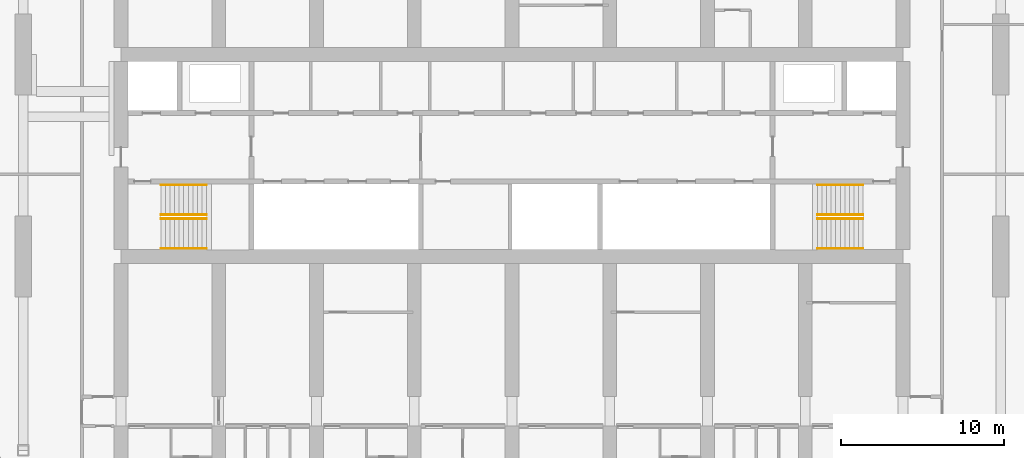
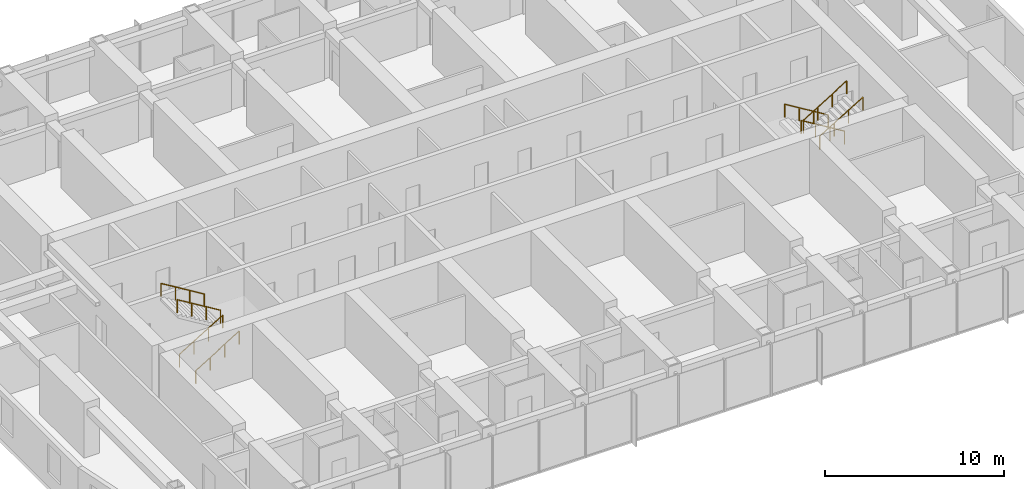
# One storey, part 22 of 22: 8 railings.
"""IFC4 building model written with IfcOpenShell, lengths in metres."""

import ifcopenshell
import ifcopenshell.guid

model = None  # the IFC model being written
_history = None  # IfcOwnerHistory: only IFC2X3 demands one
_inside = {}  # id of a spatial element -> (the spatial element, [elements in it])
_under = {}  # id of a project, library or spatial element -> (it, [spatial elements below it])
_declared = {}  # id of a project -> (the project, [libraries it declares])
_typed = {}  # id of a type object -> (the type object, [elements of that type])
_made_of = {}  # id of a material, layer set ... -> (it, [elements and type objects made of it])


def new_model(schema):
    """Start an empty IFC model of exactly this schema.

    Asked for "IFC4X3", IfcOpenShell would pick the latest addendum, in which some entities
    have other attributes; the version numbers below select the first issue.
    IFC2X3 requires an IfcOwnerHistory on every rooted entity: one is made here for all.
    """
    global model, _history
    if schema == "IFC4X3":
        model = ifcopenshell.file(schema_version=(4, 3, 0, 0))
    else:
        model = ifcopenshell.file(schema=schema)
    _inside.clear()
    _under.clear()
    _declared.clear()
    _typed.clear()
    _made_of.clear()
    _history = None
    if model.schema == "IFC2X3":
        org = make("IfcOrganization", Name="unknown")
        user = make(
            "IfcPersonAndOrganization",
            ThePerson=make("IfcPerson", FamilyName="unknown"),
            TheOrganization=org,
        )
        app = make(
            "IfcApplication",
            ApplicationDeveloper=org,
            Version="unknown",
            ApplicationFullName="unknown",
            ApplicationIdentifier="unknown",
        )
        _history = make(
            "IfcOwnerHistory",
            OwningUser=user,
            OwningApplication=app,
            ChangeAction="ADDED",
            CreationDate=0,
        )
    return model


def make(cls, **values):
    """One entity of the class cls with the attributes given. An attribute that is None is left unset."""
    return model.create_entity(
        cls, **{name: value for name, value in values.items() if value is not None}
    )


def rooted(cls, **values):
    """An entity with a GlobalId (a new one), such as an element, a storey or a relation."""
    return make(cls, GlobalId=ifcopenshell.guid.new(), OwnerHistory=_history, **values)


def si_unit(unit_type, name, prefix=None):
    """IfcSIUnit, for example si_unit("LENGTHUNIT", "METRE", prefix="MILLI")."""
    return make("IfcSIUnit", UnitType=unit_type, Prefix=prefix, Name=name)


def assignment(units):
    """IfcUnitAssignment: the units of a project."""
    return None if units is None else make("IfcUnitAssignment", Units=units)


def point(xyz):
    """IfcCartesianPoint."""
    return None if xyz is None else make("IfcCartesianPoint", Coordinates=xyz)


def direction(xyz):
    """IfcDirection."""
    return None if xyz is None else make("IfcDirection", DirectionRatios=xyz)


def frame(location, z_axis=None, x_axis=None):
    """IfcAxis2Placement3D, a coordinate frame: its origin and axes. An axis left out is left unset."""
    return make(
        "IfcAxis2Placement3D",
        Location=point(location),
        Axis=direction(z_axis),
        RefDirection=direction(x_axis),
    )


def frame_2d(location, x_axis=None):
    """IfcAxis2Placement2D, a coordinate frame in the plane: its origin and x axis."""
    return make(
        "IfcAxis2Placement2D", Location=point(location), RefDirection=direction(x_axis)
    )


def origin():
    """The frame at (0, 0, 0) with its axes left unset."""
    return frame((0.0, 0.0, 0.0))


def origin_2d():
    """The frame at (0, 0) in the plane with its x axis left unset."""
    return frame_2d((0.0, 0.0))


def place(relative_to, where):
    """IfcLocalPlacement: puts the frame where relative to a parent placement (None: the world)."""
    return make(
        "IfcLocalPlacement", PlacementRelTo=relative_to, RelativePlacement=where
    )


def context(
    kind, dimensions, precision=None, world=None, true_north=None, identifier=None
):
    """IfcGeometricRepresentationContext, for example the 3D "Model" context."""
    return make(
        "IfcGeometricRepresentationContext",
        ContextIdentifier=identifier,
        ContextType=kind,
        CoordinateSpaceDimension=dimensions,
        Precision=precision,
        WorldCoordinateSystem=world,
        TrueNorth=true_north,
    )


def subcontext(parent, identifier, kind, view, scale=None):
    """IfcGeometricRepresentationSubContext, for example "Body" below "Model"."""
    return make(
        "IfcGeometricRepresentationSubContext",
        ContextIdentifier=identifier,
        ContextType=kind,
        ParentContext=parent,
        TargetScale=scale,
        TargetView=view,
    )


def project(units=None, contexts=None):
    """IfcProject with its units and contexts."""
    return rooted(
        "IfcProject",
        Name="project",
        RepresentationContexts=contexts,
        UnitsInContext=assignment(units),
    )


def spatial(cls, under=None, at=None, **own):
    """A site, building, storey or space (cls), placed at a placement, below another one or the project."""
    s = rooted(cls, ObjectPlacement=at, **own)
    if under is not None:
        _under.setdefault(under.id(), (under, []))[1].append(s)
    return s


def profile(cls, at=None, kind="AREA", **sizes):
    """A parametric profile (cls). Its sizes go by their IFC names, for example OverallWidth=200.0."""
    return make(cls, ProfileType=kind, Position=at, **sizes)


def circle(**sizes):
    """IfcCircleProfileDef."""
    return profile("IfcCircleProfileDef", **sizes)


def extrude(swept, where, along, depth):
    """IfcExtrudedAreaSolid: the profile swept, set in the frame where, extruded along a direction by depth."""
    return make(
        "IfcExtrudedAreaSolid",
        SweptArea=swept,
        Position=where,
        ExtrudedDirection=direction(along),
        Depth=depth,
    )


def shape(context_of_items, identifier, shape_type, items):
    """IfcShapeRepresentation: the items that make up one representation, for example the "Body"."""
    return make(
        "IfcShapeRepresentation",
        ContextOfItems=context_of_items,
        RepresentationIdentifier=identifier,
        RepresentationType=shape_type,
        Items=items,
    )


def material(Name=None, Category=None):
    """IfcMaterial."""
    return make("IfcMaterial", Name=Name, Category=Category)


def made_of(thing, what):
    """Note that an element or type object is made of a material, layer set ...; save() writes the relation."""
    if what is not None:
        _made_of.setdefault(what.id(), (what, []))[1].append(thing)
    return thing


def type_object(cls, material=None, **own):
    """A type object (cls), such as IfcWallType, which elements share."""
    return made_of(rooted(cls, **own), material)


def element(
    cls,
    number,
    at=None,
    inside=None,
    cuts=None,
    type_object=None,
    material=None,
    context=None,
    identifier="Body",
    shape_type=None,
    held_by="IfcProductDefinitionShape",
    body=None,
    shapes=None,
    **own,
):
    """One element of the class cls, such as IfcWall. Its Tag is "e" and its number.

    at: its placement. inside: the storey or other place that contains it. cuts: it is an
    opening in that element (IfcRelVoidsElement). A single representation is given by context,
    identifier, shape_type and body (its items); several are given by shapes. held_by: the class
    of the entity that holds the representations. save() writes the other relations.
    """
    e = rooted(cls, Tag="e%d" % number, ObjectPlacement=at, **own)
    if body is not None:
        shapes = [shape(context, identifier, shape_type, body)]
    if shapes is not None:
        e.Representation = make(held_by, Representations=shapes)
    if inside is not None:
        _inside.setdefault(inside.id(), (inside, []))[1].append(e)
    if cuts is not None:
        rooted(
            "IfcRelVoidsElement", RelatingBuildingElement=cuts, RelatedOpeningElement=e
        )
    if type_object is not None:
        _typed.setdefault(type_object.id(), (type_object, []))[1].append(e)
    return made_of(e, material)


def aggregate(whole, parts):
    """IfcRelAggregates: a whole, such as a stair, and the parts it consists of."""
    return rooted("IfcRelAggregates", RelatingObject=whole, RelatedObjects=parts)


def save(model, path):
    """Write the relations noted so far, then the file.

    IfcRelAggregates (storeys below a building ...), IfcRelContainedInSpatialStructure (elements
    in a storey), IfcRelDefinesByType, IfcRelAssociatesMaterial and IfcRelDeclares: one each for
    every whole, place, type object, material and project.
    """
    for whole, parts in _under.values():
        aggregate(whole, parts)
    for where, things in _inside.values():
        rooted(
            "IfcRelContainedInSpatialStructure",
            RelatedElements=things,
            RelatingStructure=where,
        )
    for kind, things in _typed.values():
        rooted("IfcRelDefinesByType", RelatedObjects=things, RelatingType=kind)
    for what, things in _made_of.values():
        rooted("IfcRelAssociatesMaterial", RelatedObjects=things, RelatingMaterial=what)
    for by, libraries in _declared.values():
        rooted("IfcRelDeclares", RelatingContext=by, RelatedDefinitions=libraries)
    model.write(path)


model = new_model("IFC4")

# Units and contexts
model_context = context("Model", 3, precision=1e-05, world=origin(), true_north=direction((0.0, 1.0)))
body_context = subcontext(model_context, "Body", "Model", "MODEL_VIEW")
ifc_project = project(units=[si_unit("LENGTHUNIT", "METRE"), si_unit("AREAUNIT", "SQUARE_METRE"), si_unit("VOLUMEUNIT", "CUBIC_METRE"), si_unit("PLANEANGLEUNIT", "RADIAN"), si_unit("MASSUNIT", "GRAM", prefix="KILO")], contexts=[model_context])

# Site, building, storey
site_placement = place(None, origin())
site = spatial("IfcSite", under=ifc_project, at=site_placement, CompositionType="ELEMENT")
building_placement = place(site_placement, origin())
building = spatial("IfcBuilding", under=site, at=building_placement, Name="Orbita Commons", CompositionType="ELEMENT")
storey_placement = place(building_placement, frame((0.0, 0.0, 189.85009765625)))
storey = spatial("IfcBuildingStorey", under=building, at=storey_placement, Name="L47", CompositionType="ELEMENT", Elevation=189.85009765625)

# Railings
ifc_material = material(Name="Steel tube, painted", Category="steel")
railing_type = type_object("IfcRailingType", Name="Stair handrail steel tube 900", PredefinedType="HANDRAIL", material=ifc_material)
for number, where, name in (
    (1, (20.449951171875, 28.114990234375, 0.17041015625), "Stair S1 handrail L47 flight 1"),
    (2, (20.449951171875, 26.284912109375, 0.17041015625), "Stair S1 handrail L47 flight 1"),
):
    element("IfcRailing", number, at=place(storey_placement, frame(where)), inside=storey, type_object=railing_type, Name=name, PredefinedType="HANDRAIL", context=body_context, shape_type="SweptSolid", body=[
        extrude(circle(Radius=0.02099609375, at=origin_2d()), frame((0.0, 0.0, 0.87890625), z_axis=(0.854169791009, 0.0, 0.51999420009), x_axis=(0.0, 1.0, 0.0)), (0.0, 0.0, 1.0), 3.278076171875),
        extrude(circle(Radius=0.02001953125, at=origin_2d()), origin(), (0.0, 0.0, 1.0), 0.85791015625),
        extrude(circle(Radius=0.02001953125, at=origin_2d()), frame((0.933349609375, 0.0, 0.568115234375)), (0.0, 0.0, 1.0), 0.85791015625),
        extrude(circle(Radius=0.02001953125, at=origin_2d()), frame((1.86669921875, 0.0, 1.136474609375)), (0.0, 0.0, 1.0), 0.85791015625),
        extrude(circle(Radius=0.02001953125, at=origin_2d()), frame((2.800048828125, 0.0, 1.70458984375)), (0.0, 0.0, 1.0), 0.85791015625),
    ])
for number, where, name in (
    (3, (23.25, 28.360107421875, 2.04541015625), "Stair S1 handrail L47 flight 2"),
    (4, (23.25, 30.18994140625, 2.04541015625), "Stair S1 handrail L47 flight 2"),
    (5, (63.550048828125, 28.360107421875, 0.17041015625), "Stair S2 handrail L47 flight 1"),
    (6, (63.550048828125, 30.18994140625, 0.17041015625), "Stair S2 handrail L47 flight 1"),
):
    element("IfcRailing", number, at=place(storey_placement, frame(where)), inside=storey, type_object=railing_type, Name=name, PredefinedType="HANDRAIL", context=body_context, shape_type="SweptSolid", body=[
        extrude(circle(Radius=0.02099609375, at=origin_2d()), frame((0.0, 0.0, 0.87890625), z_axis=(-0.854169791009, 0.0, 0.51999420009), x_axis=(0.0, -1.0, 0.0)), (0.0, 0.0, 1.0), 3.278076171875),
        extrude(circle(Radius=0.02001953125, at=origin_2d()), origin(), (0.0, 0.0, 1.0), 0.85791015625),
        extrude(circle(Radius=0.02001953125, at=origin_2d()), frame((-0.933349609375, 0.0, 0.568115234375)), (0.0, 0.0, 1.0), 0.85791015625),
        extrude(circle(Radius=0.02001953125, at=origin_2d()), frame((-1.86669921875, 0.0, 1.136474609375)), (0.0, 0.0, 1.0), 0.85791015625),
        extrude(circle(Radius=0.02001953125, at=origin_2d()), frame((-2.800048828125, 0.0, 1.70458984375)), (0.0, 0.0, 1.0), 0.85791015625),
    ])
for number, where, name in (
    (7, (60.75, 28.114990234375, 2.04541015625), "Stair S2 handrail L47 flight 2"),
    (8, (60.75, 26.284912109375, 2.04541015625), "Stair S2 handrail L47 flight 2"),
):
    element("IfcRailing", number, at=place(storey_placement, frame(where)), inside=storey, type_object=railing_type, Name=name, PredefinedType="HANDRAIL", context=body_context, shape_type="SweptSolid", body=[
        extrude(circle(Radius=0.02099609375, at=origin_2d()), frame((0.0, 0.0, 0.87890625), z_axis=(0.854169791009, 0.0, 0.51999420009), x_axis=(0.0, 1.0, 0.0)), (0.0, 0.0, 1.0), 3.278076171875),
        extrude(circle(Radius=0.02001953125, at=origin_2d()), origin(), (0.0, 0.0, 1.0), 0.85791015625),
        extrude(circle(Radius=0.02001953125, at=origin_2d()), frame((0.933349609375, 0.0, 0.568115234375)), (0.0, 0.0, 1.0), 0.85791015625),
        extrude(circle(Radius=0.02001953125, at=origin_2d()), frame((1.86669921875, 0.0, 1.136474609375)), (0.0, 0.0, 1.0), 0.85791015625),
        extrude(circle(Radius=0.02001953125, at=origin_2d()), frame((2.800048828125, 0.0, 1.70458984375)), (0.0, 0.0, 1.0), 0.85791015625),
    ])

save(model, "model.ifc")
